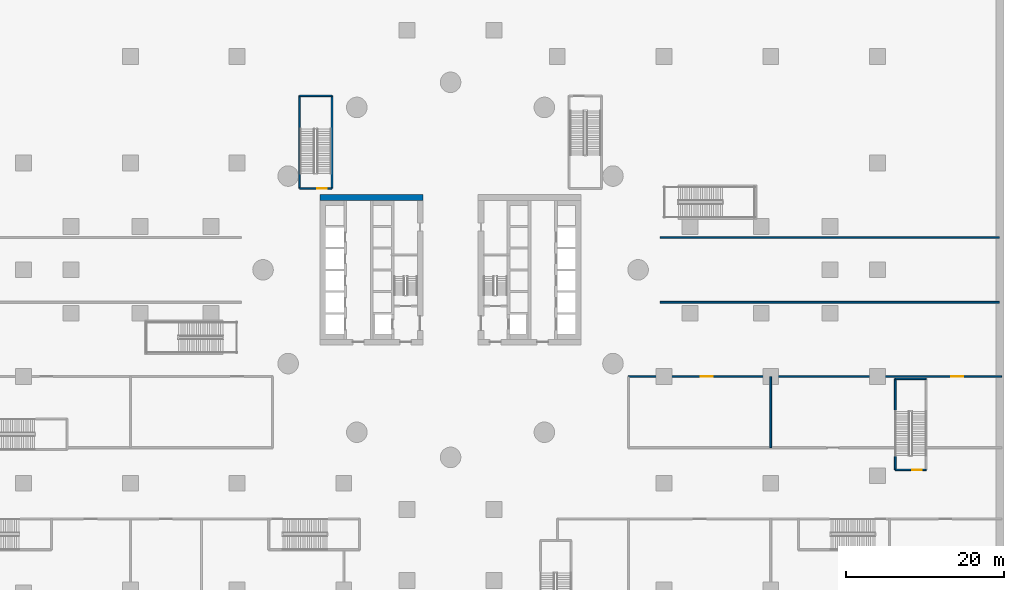
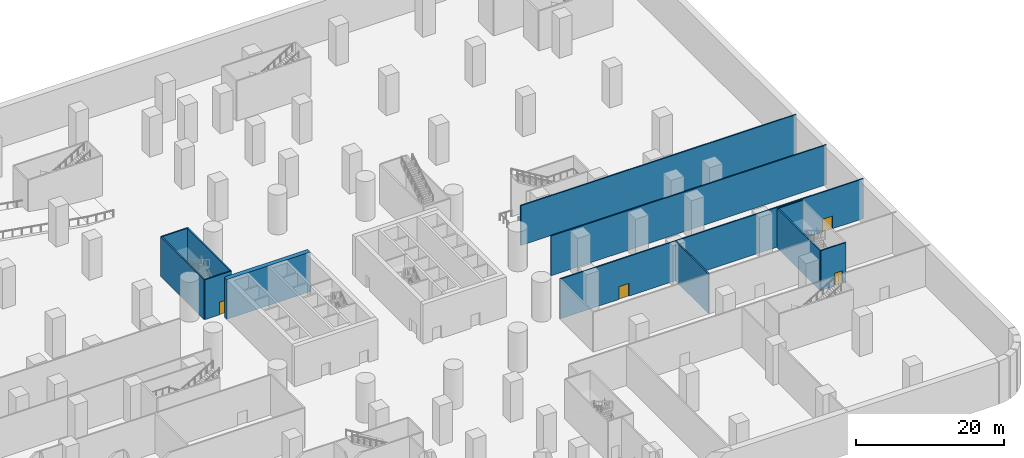
# One storey, part 7 of 30: 12 walls, 4 doors, 4 openings.
"""IFC4 building model written with IfcOpenShell, lengths in metres."""

from ifc_helpers import new_model, si_unit, direction, frame, frame_2d, origin, place, context, subcontext, project, spatial, rectangle, extrude, material, layer, layer_set, type_object, element, fill, save


model = new_model("IFC4")

# Units and contexts
model_context = context("Model", 3, precision=1e-05, world=origin(), true_north=direction((0.0, 1.0)))
body_context = subcontext(model_context, "Body", "Model", "MODEL_VIEW")
ifc_project = project(units=[si_unit("LENGTHUNIT", "METRE"), si_unit("AREAUNIT", "SQUARE_METRE"), si_unit("VOLUMEUNIT", "CUBIC_METRE"), si_unit("PLANEANGLEUNIT", "RADIAN"), si_unit("MASSUNIT", "GRAM", prefix="KILO")], contexts=[model_context])

# Site, building, storey
site_placement = place(None, origin())
site = spatial("IfcSite", under=ifc_project, at=site_placement, CompositionType="ELEMENT")
building_placement = place(site_placement, origin())
building = spatial("IfcBuilding", under=site, at=building_placement, Name="Tamarind Cross Interchange Tower", CompositionType="ELEMENT")
storey_placement = place(building_placement, frame((0.0, 0.0, -14.0)))
storey = spatial("IfcBuildingStorey", under=building, at=storey_placement, Name="B2", CompositionType="ELEMENT", Elevation=-14.0)

# Walls
ifc_material_1 = material(Name="Concrete C80", Category="concrete")
ifc_layer_1 = layer(ifc_material_1, 0.699951171875)
ifc_layer_set_1 = layer_set([ifc_layer_1], Name="Concrete C80")
wall_type_1 = type_object("IfcWallType", Name="Core wall 700 mm Concrete C80", PredefinedType="SHEAR", material=ifc_layer_set_1)
wall_1_placement = place(storey_placement, frame((-16.5, 9.14990234375, 0.0), z_axis=(0.0, 0.0, 1.0), x_axis=(1.0, 0.0, 0.0)))
element("IfcWall", 1, at=wall_1_placement, inside=storey, type_object=wall_type_1, Name="Core wall CWL-B2-W-NE", PredefinedType="SHEAR", context=body_context, shape_type="SweptSolid", body=[
    extrude(rectangle(XDim=13.0, YDim=0.699951171875, at=frame_2d((6.5, 0.0))), origin(), (0.0, 0.0, 1.0), 6.550048828125),
])
ifc_material_2 = material(Name="Masonry partition, fire-rated", Category="masonry")
ifc_layer_2 = layer(ifc_material_2, 0.199951171875)
ifc_layer_set_2 = layer_set([ifc_layer_2], Name="Masonry partition, fire-rated")
wall_type_2 = type_object("IfcWallType", Name="Fire partition 200 EI 120", PredefinedType="PARTITIONING", material=ifc_layer_set_2)
wall_2_placement = place(storey_placement, frame((40.5, -22.5, 0.0), z_axis=(0.0, 0.0, 1.0), x_axis=(0.0, 1.0, 0.0)))
element("IfcWall", 2, at=wall_2_placement, inside=storey, type_object=wall_type_2, Name="B2 partition 71", PredefinedType="PARTITIONING", context=body_context, shape_type="SweptSolid", body=[
    extrude(rectangle(XDim=9.0, YDim=0.199951171875, at=frame_2d((4.5, 0.0))), origin(), (0.0, 0.0, 1.0), 6.550048828125),
])

# Wall, openings, doors
wall_3_placement = place(storey_placement, frame((22.5, -13.5, 0.0), z_axis=(0.0, 0.0, 1.0), x_axis=(1.0, 0.0, 0.0)))
wall_3 = element("IfcWall", 3, at=wall_3_placement, inside=storey, type_object=wall_type_2, Name="B2 partition 73", PredefinedType="PARTITIONING", context=body_context, shape_type="SweptSolid", body=[
    extrude(rectangle(XDim=47.198974609375, YDim=0.199951171875, at=frame_2d((23.599609375, 0.0))), origin(), (0.0, 0.0, 1.0), 6.550048828125),
])
opening_1_placement = place(wall_3_placement, frame((9.157958984375, 0.0, 0.0)))
opening_1 = element("IfcOpeningElement", 4, at=opening_1_placement, cuts=wall_3, Name="Opening DB2-21", PredefinedType="OPENING", context=body_context, shape_type="SweptSolid", body=[
    extrude(rectangle(XDim=1.5, YDim=2.10009765625, at=frame_2d((0.75, 1.050048828125))), frame((0.0, 0.10986328125, 0.0), z_axis=(0.0, -1.0, 0.0), x_axis=(1.0, 0.0, 0.0)), (0.0, 0.0, 1.0), 0.219970703125),
])
opening_2_placement = place(wall_3_placement, frame((40.85009765625, 0.0, 0.0)))
opening_2 = element("IfcOpeningElement", 5, at=opening_2_placement, cuts=wall_3, Name="Opening DB2-23", PredefinedType="OPENING", context=body_context, shape_type="SweptSolid", body=[
    extrude(rectangle(XDim=1.5, YDim=2.10009765625, at=frame_2d((0.75, 1.050048828125))), frame((0.0, 0.10986328125, 0.0), z_axis=(0.0, -1.0, 0.0), x_axis=(1.0, 0.0, 0.0)), (0.0, 0.0, 1.0), 0.219970703125),
])
ifc_material_3 = material(Name="Steel, fire-resisting", Category="steel")
door_type_1 = type_object("IfcDoorType", Name="Podium door 1500 x 2100 FD60", OperationType="SINGLE_SWING_LEFT", PredefinedType="DOOR", material=ifc_material_3)
door_1_placement = place(opening_1_placement, origin())
door_1 = element("IfcDoor", 6, at=door_1_placement, inside=storey, type_object=door_type_1, Name="B2 door Pump Room B208", OperationType="SINGLE_SWING_LEFT", OverallHeight=2.10009765625, OverallWidth=1.5, PredefinedType="DOOR", context=body_context, shape_type="SweptSolid", body=[
    extrude(rectangle(XDim=1.5, YDim=2.10009765625, at=frame_2d((0.75, 1.050048828125))), frame((0.0, 0.02490234375, 0.0), z_axis=(0.0, -1.0, 0.0), x_axis=(1.0, 0.0, 0.0)), (0.0, 0.0, 1.0), 0.050048828125),
])
fill(opening_1, door_1)
door_type_2 = type_object("IfcDoorType", Name="Podium door 1500 x 2100 FD90", OperationType="SINGLE_SWING_LEFT", PredefinedType="DOOR", material=ifc_material_3)
door_2_placement = place(opening_2_placement, origin())
door_2 = element("IfcDoor", 7, at=door_2_placement, inside=storey, type_object=door_type_2, Name="B2 door Smoke Extract Plant Room B210", OperationType="SINGLE_SWING_LEFT", OverallHeight=2.10009765625, OverallWidth=1.5, PredefinedType="DOOR", context=body_context, shape_type="SweptSolid", body=[
    extrude(rectangle(XDim=1.5, YDim=2.10009765625, at=frame_2d((0.75, 1.050048828125))), frame((0.0, 0.02490234375, 0.0), z_axis=(0.0, -1.0, 0.0), x_axis=(1.0, 0.0, 0.0)), (0.0, 0.0, 1.0), 0.050048828125),
])
fill(opening_2, door_2)

# Walls
ifc_material_4 = material(Name="Concrete C40", Category="concrete")
ifc_layer_3 = layer(ifc_material_4, 0.199951171875)
ifc_layer_set_3 = layer_set([ifc_layer_3], Name="Concrete C40")
wall_type_3 = type_object("IfcWallType", Name="Platform edge wall 200 EI 90", PredefinedType="PARTITIONING", material=ifc_layer_set_3)
for number, where, z_axis, x_axis, name in (
    (8, (26.5, 4.10009765625, 0.0), (0.0, 0.0, 1.0), (1.0, 0.0, 0.0), "B2 platform edge wall 76"),
    (9, (26.5, -4.10009765625, 0.0), (0.0, 0.0, 1.0), (1.0, 0.0, 0.0), "B2 platform edge wall 77"),
):
    element("IfcWall", number, at=place(storey_placement, frame(where, z_axis=z_axis, x_axis=x_axis)), inside=storey, type_object=wall_type_3, Name=name, PredefinedType="PARTITIONING", context=body_context, shape_type="SweptSolid", body=[
        extrude(rectangle(XDim=42.89990234375, YDim=0.199951171875, at=frame_2d((21.449951171875, 0.0))), origin(), (0.0, 0.0, 1.0), 6.550048828125),
    ])
ifc_layer_4 = layer(ifc_material_4, 0.199951171875)
ifc_layer_set_4 = layer_set([ifc_layer_4], Name="Concrete C40")
wall_type_4 = type_object("IfcWallType", Name="Stair shaft wall 200 EI 180", PredefinedType="PARTITIONING", material=ifc_layer_set_4)
wall_4_placement = place(storey_placement, frame((-19.10009765625, 10.300048828125, 0.0), z_axis=(0.0, 0.0, 1.0), x_axis=(0.0, 1.0, 0.0)))
element("IfcWall", 10, at=wall_4_placement, inside=storey, type_object=wall_type_4, Name="B2 stair shaft wall 17", PredefinedType="PARTITIONING", context=body_context, shape_type="SweptSolid", body=[
    extrude(rectangle(XDim=11.699951171875, YDim=0.199951171875, at=frame_2d((5.85009765625, 0.0))), origin(), (0.0, 0.0, 1.0), 6.550048828125),
])
wall_5_placement = place(storey_placement, frame((-19.10009765625, 22.0, 0.0), z_axis=(0.0, 0.0, 1.0), x_axis=(1.0, 0.0, 0.0)))
element("IfcWall", 11, at=wall_5_placement, inside=storey, type_object=wall_type_4, Name="B2 stair shaft wall 18", PredefinedType="PARTITIONING", context=body_context, shape_type="SweptSolid", body=[
    extrude(rectangle(XDim=4.10009765625, YDim=0.199951171875, at=frame_2d((2.050048828125, 0.0))), origin(), (0.0, 0.0, 1.0), 6.550048828125),
])
wall_6_placement = place(storey_placement, frame((-15.0, 10.300048828125, 0.0), z_axis=(0.0, 0.0, 1.0), x_axis=(0.0, 1.0, 0.0)))
element("IfcWall", 12, at=wall_6_placement, inside=storey, type_object=wall_type_4, Name="B2 stair shaft wall 19", PredefinedType="PARTITIONING", context=body_context, shape_type="SweptSolid", body=[
    extrude(rectangle(XDim=11.699951171875, YDim=0.199951171875, at=frame_2d((5.85009765625, 0.0))), origin(), (0.0, 0.0, 1.0), 6.550048828125),
])

# Wall, opening, door
wall_7_placement = place(storey_placement, frame((-19.10009765625, 10.300048828125, 0.0), z_axis=(0.0, 0.0, 1.0), x_axis=(1.0, 0.0, 0.0)))
wall_7 = element("IfcWall", 13, at=wall_7_placement, inside=storey, type_object=wall_type_4, Name="B2 stair shaft wall 20", PredefinedType="PARTITIONING", context=body_context, shape_type="SweptSolid", body=[
    extrude(rectangle(XDim=4.10009765625, YDim=0.199951171875, at=frame_2d((2.050048828125, 0.0))), origin(), (0.0, 0.0, 1.0), 6.550048828125),
])
opening_3_placement = place(wall_7_placement, frame((2.25, 0.0, 0.0)))
opening_3 = element("IfcOpeningElement", 14, at=opening_3_placement, cuts=wall_7, Name="Opening DB2-01", PredefinedType="OPENING", context=body_context, shape_type="SweptSolid", body=[
    extrude(rectangle(XDim=1.199951171875, YDim=2.10009765625, at=frame_2d((0.60009765625, 1.050048828125))), frame((0.0, 0.10986328125, 0.0), z_axis=(0.0, -1.0, 0.0), x_axis=(1.0, 0.0, 0.0)), (0.0, 0.0, 1.0), 0.219970703125),
])
door_type_3 = type_object("IfcDoorType", Name="Podium door 1200 x 2100 FD90", OperationType="SINGLE_SWING_LEFT", PredefinedType="DOOR", material=ifc_material_3)
door_3_placement = place(opening_3_placement, origin())
door_3 = element("IfcDoor", 15, at=door_3_placement, inside=storey, type_object=door_type_3, Name="B2 door Car Park Exit Stair West", OperationType="SINGLE_SWING_LEFT", OverallHeight=2.10009765625, OverallWidth=1.199951171875, PredefinedType="DOOR", context=body_context, shape_type="SweptSolid", body=[
    extrude(rectangle(XDim=1.199951171875, YDim=2.10009765625, at=frame_2d((0.60009765625, 1.050048828125))), frame((0.0, 0.02490234375, 0.0), z_axis=(0.0, -1.0, 0.0), x_axis=(1.0, 0.0, 0.0)), (0.0, 0.0, 1.0), 0.050048828125),
])
fill(opening_3, door_3)

# Walls
wall_8_placement = place(storey_placement, frame((56.25, -25.300048828125, 0.0), z_axis=(0.0, 0.0, 1.0), x_axis=(0.0, 1.0, 0.0)))
element("IfcWall", 16, at=wall_8_placement, inside=storey, type_object=wall_type_4, Name="B2 stair shaft wall 41", PredefinedType="PARTITIONING", context=body_context, shape_type="SweptSolid", body=[
    extrude(rectangle(XDim=11.5, YDim=0.199951171875, at=frame_2d((5.75, 0.0))), origin(), (0.0, 0.0, 1.0), 6.550048828125),
])
wall_9_placement = place(storey_placement, frame((56.25, -13.800048828125, 0.0), z_axis=(0.0, 0.0, 1.0), x_axis=(1.0, 0.0, 0.0)))
element("IfcWall", 17, at=wall_9_placement, inside=storey, type_object=wall_type_4, Name="B2 stair shaft wall 42", PredefinedType="PARTITIONING", context=body_context, shape_type="SweptSolid", body=[
    extrude(rectangle(XDim=3.89990234375, YDim=0.199951171875, at=frame_2d((1.949951171875, 0.0))), origin(), (0.0, 0.0, 1.0), 6.550048828125),
])

# Wall, opening, door
wall_10_placement = place(storey_placement, frame((56.25, -25.300048828125, 0.0), z_axis=(0.0, 0.0, 1.0), x_axis=(1.0, 0.0, 0.0)))
wall_10 = element("IfcWall", 18, at=wall_10_placement, inside=storey, type_object=wall_type_4, Name="B2 stair shaft wall 44", PredefinedType="PARTITIONING", context=body_context, shape_type="SweptSolid", body=[
    extrude(rectangle(XDim=3.89990234375, YDim=0.199951171875, at=frame_2d((1.949951171875, 0.0))), origin(), (0.0, 0.0, 1.0), 6.550048828125),
])
opening_4_placement = place(wall_10_placement, frame((2.14990234375, 0.0, 0.0)))
opening_4 = element("IfcOpeningElement", 19, at=opening_4_placement, cuts=wall_10, Name="Opening DB2-12", PredefinedType="OPENING", context=body_context, shape_type="SweptSolid", body=[
    extrude(rectangle(XDim=1.199951171875, YDim=2.10009765625, at=frame_2d((0.60009765625, 1.050048828125))), frame((0.0, 0.10986328125, 0.0), z_axis=(0.0, -1.0, 0.0), x_axis=(1.0, 0.0, 0.0)), (0.0, 0.0, 1.0), 0.219970703125),
])
door_4_placement = place(opening_4_placement, origin())
door_4 = element("IfcDoor", 20, at=door_4_placement, inside=storey, type_object=door_type_3, Name="B2 door Exit Stair PX11", OperationType="SINGLE_SWING_RIGHT", OverallHeight=2.10009765625, OverallWidth=1.199951171875, PredefinedType="DOOR", context=body_context, shape_type="SweptSolid", body=[
    extrude(rectangle(XDim=1.199951171875, YDim=2.10009765625, at=frame_2d((0.60009765625, 1.050048828125))), frame((0.0, 0.02490234375, 0.0), z_axis=(0.0, -1.0, 0.0), x_axis=(1.0, 0.0, 0.0)), (0.0, 0.0, 1.0), 0.050048828125),
])
fill(opening_4, door_4)

save(model, "model.ifc")
